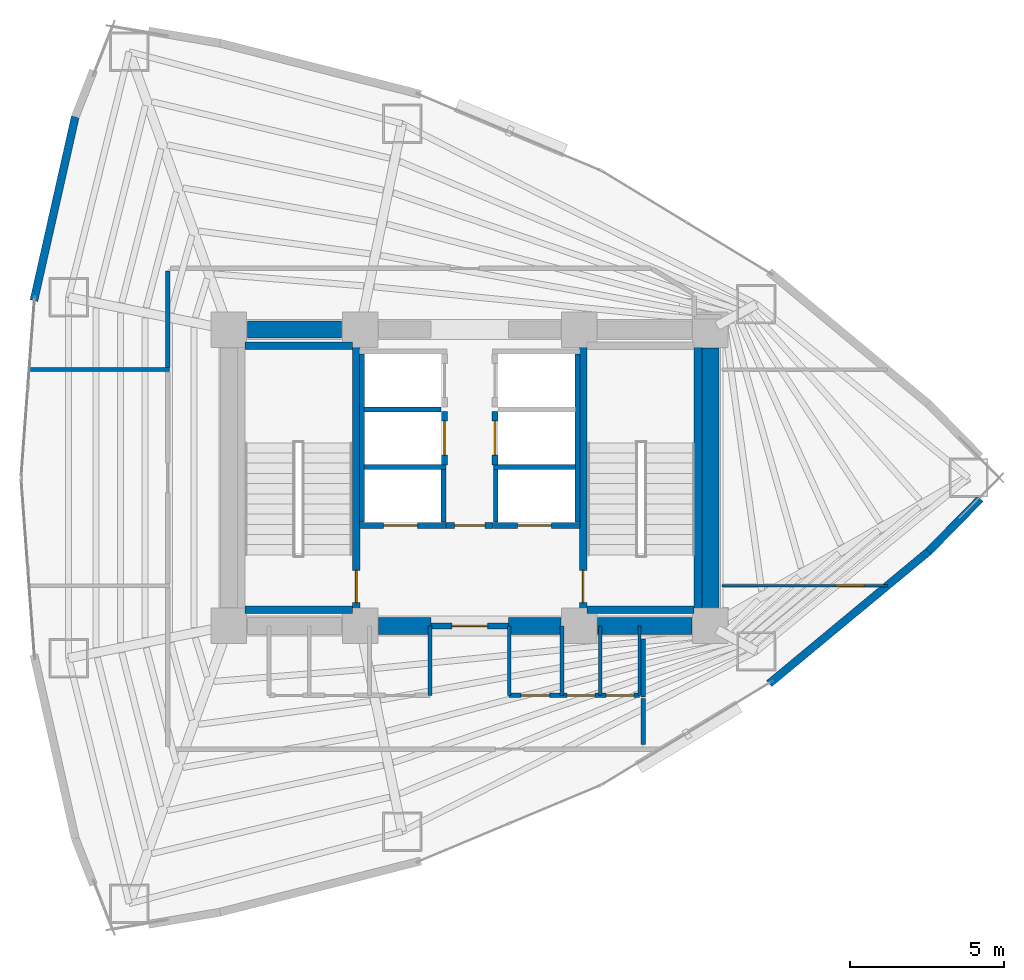
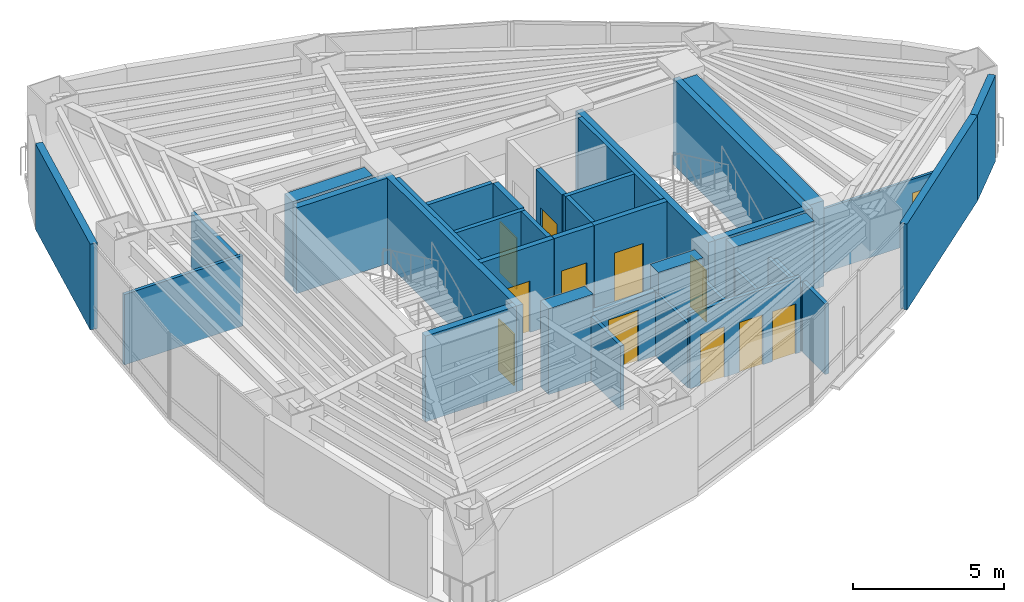
# One storey, part 15 of 18: 38 walls, 12 doors, 12 openings.
"""IFC4 building model written with IfcOpenShell, lengths in metres."""

from ifc_helpers import new_model, si_unit, direction, frame, frame_2d, origin, place, context, subcontext, project, spatial, rectangle, extrude, material, layer, layer_set, type_object, element, fill, save


model = new_model("IFC4")

# Units and contexts
model_context = context("Model", 3, precision=1e-05, world=origin(), true_north=direction((0.0, 1.0)))
body_context = subcontext(model_context, "Body", "Model", "MODEL_VIEW")
ifc_project = project(units=[si_unit("LENGTHUNIT", "METRE"), si_unit("AREAUNIT", "SQUARE_METRE"), si_unit("VOLUMEUNIT", "CUBIC_METRE"), si_unit("PLANEANGLEUNIT", "RADIAN"), si_unit("MASSUNIT", "GRAM", prefix="KILO")], contexts=[model_context])

# Site, building, storey
site_placement = place(None, origin())
site = spatial("IfcSite", under=ifc_project, at=site_placement, CompositionType="ELEMENT")
building_placement = place(site_placement, origin())
building = spatial("IfcBuilding", under=site, at=building_placement, Name="Menara Vayukalpa", CompositionType="ELEMENT")
storey_placement = place(building_placement, frame((0.0, 0.0, 89.10009765625)))
storey = spatial("IfcBuildingStorey", under=building, at=storey_placement, Name="L21", CompositionType="ELEMENT", Elevation=89.10009765625)

# Walls
ifc_material_1 = material(Name="Concrete C60/75", Category="concrete")
ifc_layer_1 = layer(ifc_material_1, 0.550048828125)
ifc_layer_set_1 = layer_set([ifc_layer_1], Name="Concrete C60/75")
wall_type_1 = type_object("IfcWallType", Name="WAL-CW550", PredefinedType="SHEAR", material=ifc_layer_set_1)
wall_1_placement = place(storey_placement, frame((22.64501953125, 17.199951171875, 0.0), z_axis=(0.0, 0.0, 1.0), x_axis=(1.0, 0.0, 0.0)))
element("IfcWall", 1, at=wall_1_placement, inside=storey, type_object=wall_type_1, Name="L21 Buttressed Core Shear Wall CWS2", PredefinedType="SHEAR", context=body_context, shape_type="SweptSolid", body=[
    extrude(rectangle(XDim=1.705078125, YDim=0.550048828125, at=frame_2d((0.8525390625, 0.0))), origin(), (0.0, 0.0, 1.0), 3.469970703125),
])
wall_2_placement = place(storey_placement, frame((26.85009765625, 17.199951171875, 0.0), z_axis=(0.0, 0.0, 1.0), x_axis=(1.0, 0.0, 0.0)))
element("IfcWall", 2, at=wall_2_placement, inside=storey, type_object=wall_type_1, Name="L21 Buttressed Core Shear Wall CWS3", PredefinedType="SHEAR", context=body_context, shape_type="SweptSolid", body=[
    extrude(rectangle(XDim=1.704833984375, YDim=0.550048828125, at=frame_2d((0.8525390625, 0.0))), origin(), (0.0, 0.0, 1.0), 3.469970703125),
])
wall_3_placement = place(storey_placement, frame((29.7451171875, 17.199951171875, 0.0), z_axis=(0.0, 0.0, 1.0), x_axis=(1.0, 0.0, 0.0)))
element("IfcWall", 3, at=wall_3_placement, inside=storey, type_object=wall_type_1, Name="L21 Buttressed Core Shear Wall CWS4", PredefinedType="SHEAR", context=body_context, shape_type="SweptSolid", body=[
    extrude(rectangle(XDim=3.059814453125, YDim=0.550048828125, at=frame_2d((1.52978515625, 0.0))), origin(), (0.0, 0.0, 1.0), 3.469970703125),
])
wall_4_placement = place(storey_placement, frame((18.39501953125, 26.800048828125, 0.0), z_axis=(0.0, 0.0, 1.0), x_axis=(1.0, 0.0, 0.0)))
element("IfcWall", 4, at=wall_4_placement, inside=storey, type_object=wall_type_1, Name="L21 Buttressed Core Shear Wall CWN1", PredefinedType="SHEAR", context=body_context, shape_type="SweptSolid", body=[
    extrude(rectangle(XDim=3.06005859375, YDim=0.550048828125, at=frame_2d((1.530029296875, 0.0))), origin(), (0.0, 0.0, 1.0), 3.469970703125),
])
wall_5_placement = place(storey_placement, frame((33.39990234375, 17.794921875, 0.0), z_axis=(0.0, 0.0, 1.0), x_axis=(0.0, 1.0, 0.0)))
element("IfcWall", 5, at=wall_5_placement, inside=storey, type_object=wall_type_1, Name="L21 Buttressed Core Shear Wall CWE1", PredefinedType="SHEAR", context=body_context, shape_type="SweptSolid", body=[
    extrude(rectangle(XDim=8.41015625, YDim=0.550048828125, at=frame_2d((4.205078125, 0.0))), origin(), (0.0, 0.0, 1.0), 3.469970703125),
])
ifc_material_2 = material(Name="Insulated Precast Concrete C40/50", Category="concrete")
ifc_layer_2 = layer(ifc_material_2, 0.260009765625)
ifc_layer_set_2 = layer_set([ifc_layer_2], Name="Insulated Precast Concrete C40/50")
wall_type_2 = type_object("IfcWallType", Name="WAL-EXT260", PredefinedType="PARTITIONING", material=ifc_layer_set_2)
wall_6_placement = place(storey_placement, frame((42.14111328125, 21.316650390625, 0.0), z_axis=(0.0, 0.0, 1.0), x_axis=(-0.700603293449, -0.713550996922, 0.0)))
element("IfcWall", 6, at=wall_6_placement, inside=storey, type_object=wall_type_2, Name="L21 Perimeter Terracotta Pier Wall 01", PredefinedType="PARTITIONING", context=body_context, shape_type="SweptSolid", body=[
    extrude(rectangle(XDim=2.394775390625, YDim=0.260009765625, at=frame_2d((1.197265625, 0.0))), origin(), (0.0, 0.0, 1.0), 3.469970703125),
])
wall_7_placement = place(storey_placement, frame((11.482421875, 27.73828125, 0.0), z_axis=(0.0, 0.0, 1.0), x_axis=(0.219535044336, 0.975604614743, 0.0)))
element("IfcWall", 7, at=wall_7_placement, inside=storey, type_object=wall_type_2, Name="L21 Perimeter Terracotta Pier Wall 09", PredefinedType="PARTITIONING", context=body_context, shape_type="SweptSolid", body=[
    extrude(rectangle(XDim=6.10205078125, YDim=0.260009765625, at=frame_2d((3.051025390625, 0.0))), origin(), (0.0, 0.0, 1.0), 3.469970703125),
])
wall_8_placement = place(storey_placement, frame((40.472412109375, 19.6162109375, 0.0), z_axis=(0.0, 0.0, 1.0), x_axis=(-0.76975316947, -0.638341646841, 0.0)))
element("IfcWall", 8, at=wall_8_placement, inside=storey, type_object=wall_type_2, Name="L21 Perimeter Terracotta Pier Wall 18", PredefinedType="PARTITIONING", context=body_context, shape_type="SweptSolid", body=[
    extrude(rectangle(XDim=6.718017578125, YDim=0.260009765625, at=frame_2d((3.35888671875, 0.0))), origin(), (0.0, 0.0, 1.0), 3.469970703125),
])
ifc_material_3 = material(Name="Lightweight Concrete Blockwork C16/20", Category="masonry")
ifc_layer_3 = layer(ifc_material_3, 0.159912109375)
ifc_layer_set_3 = layer_set([ifc_layer_3], Name="Lightweight Concrete Blockwork C16/20")
wall_type_3 = type_object("IfcWallType", Name="WAL-FR150", PredefinedType="PARTITIONING", material=ifc_layer_set_3)
wall_9_placement = place(storey_placement, frame((22.10498046875, 20.56005859375, 0.0), z_axis=(0.0, 0.0, 1.0), x_axis=(0.0, 1.0, 0.0)))
element("IfcWall", 9, at=wall_9_placement, inside=storey, type_object=wall_type_3, Name="L21 Interior Partition IW-L21-SHW-WW", PredefinedType="PARTITIONING", context=body_context, shape_type="SweptSolid", body=[
    extrude(rectangle(XDim=5.449951171875, YDim=0.159912109375, at=frame_2d((2.72509765625, 0.0))), origin(), (0.0, 0.0, 1.0), 3.469970703125),
])
wall_10_placement = place(storey_placement, frame((24.7548828125, 20.56005859375, 0.0), z_axis=(0.0, 0.0, 1.0), x_axis=(0.0, 1.0, 0.0)))
element("IfcWall", 10, at=wall_10_placement, inside=storey, type_object=wall_type_3, Name="L21 Interior Partition IW-L21-SHW-W1E", PredefinedType="PARTITIONING", context=body_context, shape_type="SweptSolid", body=[
    extrude(rectangle(XDim=1.7099609375, YDim=0.159912109375, at=frame_2d((0.85498046875, 0.0))), origin(), (0.0, 0.0, 1.0), 3.469970703125),
])
wall_11_placement = place(storey_placement, frame((22.179931640625, 22.344970703125, 0.0), z_axis=(0.0, 0.0, 1.0), x_axis=(1.0, 0.0, 0.0)))
element("IfcWall", 11, at=wall_11_placement, inside=storey, type_object=wall_type_3, Name="L21 Interior Partition IW-L21-SHM-W12", PredefinedType="PARTITIONING", context=body_context, shape_type="SweptSolid", body=[
    extrude(rectangle(XDim=2.650146484375, YDim=0.159912109375, at=frame_2d((1.3251953125, 0.0))), origin(), (0.0, 0.0, 1.0), 3.469970703125),
])
wall_12_placement = place(storey_placement, frame((22.179931640625, 24.215087890625, 0.0), z_axis=(0.0, 0.0, 1.0), x_axis=(1.0, 0.0, 0.0)))
element("IfcWall", 12, at=wall_12_placement, inside=storey, type_object=wall_type_3, Name="L21 Interior Partition IW-L21-SHM-W23", PredefinedType="PARTITIONING", context=body_context, shape_type="SweptSolid", body=[
    extrude(rectangle(XDim=2.489990234375, YDim=0.159912109375, at=frame_2d((1.2451171875, 0.0))), origin(), (0.0, 0.0, 1.0), 3.469970703125),
])
wall_13_placement = place(storey_placement, frame((29.094970703125, 20.56005859375, 0.0), z_axis=(0.0, 0.0, 1.0), x_axis=(0.0, 1.0, 0.0)))
element("IfcWall", 13, at=wall_13_placement, inside=storey, type_object=wall_type_3, Name="L21 Interior Partition IW-L21-SHW-EE", PredefinedType="PARTITIONING", context=body_context, shape_type="SweptSolid", body=[
    extrude(rectangle(XDim=5.449951171875, YDim=0.159912109375, at=frame_2d((2.72509765625, 0.0))), origin(), (0.0, 0.0, 1.0), 3.469970703125),
])
wall_14_placement = place(storey_placement, frame((26.445068359375, 20.56005859375, 0.0), z_axis=(0.0, 0.0, 1.0), x_axis=(0.0, 1.0, 0.0)))
element("IfcWall", 14, at=wall_14_placement, inside=storey, type_object=wall_type_3, Name="L21 Interior Partition IW-L21-SHW-E1W", PredefinedType="PARTITIONING", context=body_context, shape_type="SweptSolid", body=[
    extrude(rectangle(XDim=1.7099609375, YDim=0.159912109375, at=frame_2d((0.85498046875, 0.0))), origin(), (0.0, 0.0, 1.0), 3.469970703125),
])
wall_15_placement = place(storey_placement, frame((26.3701171875, 22.344970703125, 0.0), z_axis=(0.0, 0.0, 1.0), x_axis=(1.0, 0.0, 0.0)))
element("IfcWall", 15, at=wall_15_placement, inside=storey, type_object=wall_type_3, Name="L21 Interior Partition IW-L21-SHM-E13", PredefinedType="PARTITIONING", context=body_context, shape_type="SweptSolid", body=[
    extrude(rectangle(XDim=2.64990234375, YDim=0.159912109375, at=frame_2d((1.324951171875, 0.0))), origin(), (0.0, 0.0, 1.0), 3.469970703125),
])

# Wall, opening, door
ifc_material_4 = material(Name="Lightweight Concrete Blockwork C16/20", Category="masonry")
ifc_layer_4 = layer(ifc_material_4, 0.199951171875)
ifc_layer_set_4 = layer_set([ifc_layer_4], Name="Lightweight Concrete Blockwork C16/20")
wall_type_4 = type_object("IfcWallType", Name="WAL-FR200", PredefinedType="PARTITIONING", material=ifc_layer_set_4)
wall_16_placement = place(storey_placement, frame((24.35009765625, 17.199951171875, 0.0), z_axis=(0.0, 0.0, 1.0), x_axis=(1.0, 0.0, 0.0)))
wall_16 = element("IfcWall", 16, at=wall_16_placement, inside=storey, type_object=wall_type_4, Name="L21 Interior Partition IW-L21-FFLS", PredefinedType="PARTITIONING", context=body_context, shape_type="SweptSolid", body=[
    extrude(rectangle(XDim=2.5, YDim=0.199951171875, at=frame_2d((1.25, 0.0))), origin(), (0.0, 0.0, 1.0), 2.599853515625),
])
opening_1_placement = place(wall_16_placement, frame((0.679931640625, 0.0, 0.0)))
opening_1 = element("IfcOpeningElement", 17, at=opening_1_placement, cuts=wall_16, Name="Opening ID2", PredefinedType="OPENING", context=body_context, shape_type="SweptSolid", body=[
    extrude(rectangle(XDim=1.14990234375, YDim=2.080078125, at=frame_2d((0.574951171875, 1.0400390625))), frame((0.0, 0.10986328125, 0.0), z_axis=(0.0, -1.0, 0.0), x_axis=(1.0, 0.0, 0.0)), (0.0, 0.0, 1.0), 0.219970703125),
])
ifc_material_5 = material(Name="Fire-Rated Powder-Coated Steel Door", Category="steel")
door_type_1 = type_object("IfcDoorType", Name="DR-FD60W", OperationType="NOTDEFINED", PredefinedType="DOOR", material=ifc_material_5)
door_1_placement = place(opening_1_placement, origin())
door_1 = element("IfcDoor", 18, at=door_1_placement, inside=storey, type_object=door_type_1, Name="L21 Interior Door DR-L21-FFLS", OperationType="SINGLE_SWING_RIGHT", OverallHeight=2.080078125, OverallWidth=1.14990234375, PredefinedType="DOOR", context=body_context, shape_type="SweptSolid", body=[
    extrude(rectangle(XDim=1.14990234375, YDim=2.080078125, at=frame_2d((0.574951171875, 1.0400390625))), frame((0.0, 0.02490234375, 0.0), z_axis=(0.0, -1.0, 0.0), x_axis=(1.0, 0.0, 0.0)), (0.0, 0.0, 1.0), 0.050048828125),
])
fill(opening_1, door_1)

wall_17_placement = place(storey_placement, frame((24.840087890625, 20.449951171875, 0.0), z_axis=(0.0, 0.0, 1.0), x_axis=(1.0, 0.0, 0.0)))
wall_17 = element("IfcWall", 19, at=wall_17_placement, inside=storey, type_object=wall_type_4, Name="L21 Interior Partition IW-L21-FFLN", PredefinedType="PARTITIONING", context=body_context, shape_type="SweptSolid", body=[
    extrude(rectangle(XDim=1.52001953125, YDim=0.199951171875, at=frame_2d((0.760009765625, 0.0))), origin(), (0.0, 0.0, 1.0), 3.469970703125),
])
opening_2_placement = place(wall_17_placement, frame((0.27001953125, 0.0, 0.0)))
opening_2 = element("IfcOpeningElement", 20, at=opening_2_placement, cuts=wall_17, Name="Opening ID3", PredefinedType="OPENING", context=body_context, shape_type="SweptSolid", body=[
    extrude(rectangle(XDim=0.97998046875, YDim=2.06005859375, at=frame_2d((0.489990234375, 1.030029296875))), frame((0.0, 0.10986328125, 0.0), z_axis=(0.0, -1.0, 0.0), x_axis=(1.0, 0.0, 0.0)), (0.0, 0.0, 1.0), 0.219970703125),
])
ifc_material_6 = material(Name="Fire-Rated Powder-Coated Steel Door", Category="steel")
door_type_2 = type_object("IfcDoorType", Name="DR-FD60", OperationType="NOTDEFINED", PredefinedType="DOOR", material=ifc_material_6)
door_2_placement = place(opening_2_placement, origin())
door_2 = element("IfcDoor", 21, at=door_2_placement, inside=storey, type_object=door_type_2, Name="L21 Interior Door DR-L21-FFLN", OperationType="SINGLE_SWING_LEFT", OverallHeight=2.06005859375, OverallWidth=0.97998046875, PredefinedType="DOOR", context=body_context, shape_type="SweptSolid", body=[
    extrude(rectangle(XDim=0.97998046875, YDim=2.06005859375, at=frame_2d((0.489990234375, 1.030029296875))), frame((0.0, 0.02490234375, 0.0), z_axis=(0.0, -1.0, 0.0), x_axis=(1.0, 0.0, 0.0)), (0.0, 0.0, 1.0), 0.050048828125),
])
fill(opening_2, door_2)

wall_18_placement = place(storey_placement, frame((22.030029296875, 20.449951171875, 0.0), z_axis=(0.0, 0.0, 1.0), x_axis=(1.0, 0.0, 0.0)))
wall_18 = element("IfcWall", 22, at=wall_18_placement, inside=storey, type_object=wall_type_4, Name="L21 Interior Partition IW-L21-SH-W1", PredefinedType="PARTITIONING", context=body_context, shape_type="SweptSolid", body=[
    extrude(rectangle(XDim=2.800048828125, YDim=0.199951171875, at=frame_2d((1.39990234375, 0.0))), origin(), (0.0, 0.0, 1.0), 3.469970703125),
])
opening_3_placement = place(wall_18_placement, frame((0.780029296875, 0.0, 0.0)))
opening_3 = element("IfcOpeningElement", 23, at=opening_3_placement, cuts=wall_18, Name="Opening LD1", PredefinedType="OPENING", context=body_context, shape_type="SweptSolid", body=[
    extrude(rectangle(XDim=1.10009765625, YDim=2.080078125, at=frame_2d((0.550048828125, 1.0400390625))), frame((0.0, 0.10986328125, 0.0), z_axis=(0.0, -1.0, 0.0), x_axis=(1.0, 0.0, 0.0)), (0.0, 0.0, 1.0), 0.219970703125),
])
ifc_material_7 = material(Name="Brushed Stainless Steel 316 Lift Door", Category="steel")
door_type_3 = type_object("IfcDoorType", Name="DR-LD110", OperationType="NOTDEFINED", PredefinedType="DOOR", material=ifc_material_7)
door_3_placement = place(opening_3_placement, origin())
door_3 = element("IfcDoor", 24, at=door_3_placement, inside=storey, type_object=door_type_3, Name="L21 Interior Door DR-L21-LD-W1", OperationType="DOUBLE_DOOR_SLIDING", OverallHeight=2.080078125, OverallWidth=1.10009765625, PredefinedType="DOOR", context=body_context, shape_type="SweptSolid", body=[
    extrude(rectangle(XDim=1.10009765625, YDim=2.080078125, at=frame_2d((0.550048828125, 1.0400390625))), frame((0.0, 0.02490234375, 0.0), z_axis=(0.0, -1.0, 0.0), x_axis=(1.0, 0.0, 0.0)), (0.0, 0.0, 1.0), 0.050048828125),
])
fill(opening_3, door_3)

wall_19_placement = place(storey_placement, frame((26.3701171875, 20.449951171875, 0.0), z_axis=(0.0, 0.0, 1.0), x_axis=(1.0, 0.0, 0.0)))
wall_19 = element("IfcWall", 25, at=wall_19_placement, inside=storey, type_object=wall_type_4, Name="L21 Interior Partition IW-L21-SH-E1", PredefinedType="PARTITIONING", context=body_context, shape_type="SweptSolid", body=[
    extrude(rectangle(XDim=2.7998046875, YDim=0.199951171875, at=frame_2d((1.39990234375, 0.0))), origin(), (0.0, 0.0, 1.0), 3.469970703125),
])
opening_4_placement = place(wall_19_placement, frame((0.780029296875, 0.0, 0.0)))
opening_4 = element("IfcOpeningElement", 26, at=opening_4_placement, cuts=wall_19, Name="Opening LD1", PredefinedType="OPENING", context=body_context, shape_type="SweptSolid", body=[
    extrude(rectangle(XDim=1.10009765625, YDim=2.080078125, at=frame_2d((0.550048828125, 1.0400390625))), frame((0.0, 0.10986328125, 0.0), z_axis=(0.0, -1.0, 0.0), x_axis=(1.0, 0.0, 0.0)), (0.0, 0.0, 1.0), 0.219970703125),
])
door_4_placement = place(opening_4_placement, origin())
door_4 = element("IfcDoor", 27, at=door_4_placement, inside=storey, type_object=door_type_3, Name="L21 Interior Door DR-L21-LD-E1", OperationType="DOUBLE_DOOR_SLIDING", OverallHeight=2.080078125, OverallWidth=1.10009765625, PredefinedType="DOOR", context=body_context, shape_type="SweptSolid", body=[
    extrude(rectangle(XDim=1.10009765625, YDim=2.080078125, at=frame_2d((0.550048828125, 1.0400390625))), frame((0.0, 0.02490234375, 0.0), z_axis=(0.0, -1.0, 0.0), x_axis=(1.0, 0.0, 0.0)), (0.0, 0.0, 1.0), 0.050048828125),
])
fill(opening_4, door_4)

wall_20_placement = place(storey_placement, frame((24.780029296875, 22.419921875, 0.0), z_axis=(0.0, 0.0, 1.0), x_axis=(0.0, 1.0, 0.0)))
wall_20 = element("IfcWall", 28, at=wall_20_placement, inside=storey, type_object=wall_type_4, Name="L21 Interior Partition IW-L21-SH-W2", PredefinedType="PARTITIONING", context=body_context, shape_type="SweptSolid", body=[
    extrude(rectangle(XDim=1.719970703125, YDim=0.199951171875, at=frame_2d((0.85986328125, 0.0))), origin(), (0.0, 0.0, 1.0), 3.469970703125),
])
opening_5_placement = place(wall_20_placement, frame((0.31005859375, 0.0, 0.0)))
opening_5 = element("IfcOpeningElement", 29, at=opening_5_placement, cuts=wall_20, Name="Opening LD1", PredefinedType="OPENING", context=body_context, shape_type="SweptSolid", body=[
    extrude(rectangle(XDim=1.10009765625, YDim=2.080078125, at=frame_2d((0.550048828125, 1.0400390625))), frame((0.0, 0.10986328125, 0.0), z_axis=(0.0, -1.0, 0.0), x_axis=(1.0, 0.0, 0.0)), (0.0, 0.0, 1.0), 0.219970703125),
])
door_5_placement = place(opening_5_placement, origin())
door_5 = element("IfcDoor", 30, at=door_5_placement, inside=storey, type_object=door_type_3, Name="L21 Interior Door DR-L21-LD-W2", OperationType="DOUBLE_DOOR_SLIDING", OverallHeight=2.080078125, OverallWidth=1.10009765625, PredefinedType="DOOR", context=body_context, shape_type="SweptSolid", body=[
    extrude(rectangle(XDim=1.10009765625, YDim=2.080078125, at=frame_2d((0.550048828125, 1.0400390625))), frame((0.0, 0.02490234375, 0.0), z_axis=(0.0, -1.0, 0.0), x_axis=(1.0, 0.0, 0.0)), (0.0, 0.0, 1.0), 0.050048828125),
])
fill(opening_5, door_5)

wall_21_placement = place(storey_placement, frame((26.419921875, 22.419921875, 0.0), z_axis=(0.0, 0.0, 1.0), x_axis=(0.0, 1.0, 0.0)))
wall_21 = element("IfcWall", 31, at=wall_21_placement, inside=storey, type_object=wall_type_4, Name="L21 Interior Partition IW-L21-SH-E3", PredefinedType="PARTITIONING", context=body_context, shape_type="SweptSolid", body=[
    extrude(rectangle(XDim=1.719970703125, YDim=0.199951171875, at=frame_2d((0.85986328125, 0.0))), origin(), (0.0, 0.0, 1.0), 3.469970703125),
])
opening_6_placement = place(wall_21_placement, frame((0.31005859375, 0.0, 0.0)))
opening_6 = element("IfcOpeningElement", 32, at=opening_6_placement, cuts=wall_21, Name="Opening LD1", PredefinedType="OPENING", context=body_context, shape_type="SweptSolid", body=[
    extrude(rectangle(XDim=1.10009765625, YDim=2.080078125, at=frame_2d((0.550048828125, 1.0400390625))), frame((0.0, 0.10986328125, 0.0), z_axis=(0.0, -1.0, 0.0), x_axis=(1.0, 0.0, 0.0)), (0.0, 0.0, 1.0), 0.219970703125),
])
door_6_placement = place(opening_6_placement, origin())
door_6 = element("IfcDoor", 33, at=door_6_placement, inside=storey, type_object=door_type_3, Name="L21 Interior Door DR-L21-LD-E3", OperationType="DOUBLE_DOOR_SLIDING", OverallHeight=2.080078125, OverallWidth=1.10009765625, PredefinedType="DOOR", context=body_context, shape_type="SweptSolid", body=[
    extrude(rectangle(XDim=1.10009765625, YDim=2.080078125, at=frame_2d((0.550048828125, 1.0400390625))), frame((0.0, 0.02490234375, 0.0), z_axis=(0.0, -1.0, 0.0), x_axis=(1.0, 0.0, 0.0)), (0.0, 0.0, 1.0), 0.050048828125),
])
fill(opening_6, door_6)

ifc_material_8 = material(Name="Glazed Demountable Office Partition", Category="glass")
ifc_layer_5 = layer(ifc_material_8, 0.094970703125)
ifc_layer_set_5 = layer_set([ifc_layer_5], Name="Glazed Demountable Office Partition")
wall_type_5 = type_object("IfcWallType", Name="WAL-PT100", PredefinedType="PARTITIONING", material=ifc_layer_set_5)
wall_22_placement = place(storey_placement, frame((33.77001953125, 18.5, 0.0), z_axis=(0.0, 0.0, 1.0), x_axis=(1.0, 0.0, 0.0)))
wall_22 = element("IfcWall", 34, at=wall_22_placement, inside=storey, type_object=wall_type_5, Name="L21 Interior Partition IW-L21-RDIV02", PredefinedType="PARTITIONING", context=body_context, shape_type="SweptSolid", body=[
    extrude(rectangle(XDim=5.3720703125, YDim=0.094970703125, at=frame_2d((2.68603515625, 0.0))), origin(), (0.0, 0.0, 1.0), 2.599853515625),
])
opening_7_placement = place(wall_22_placement, frame((3.685546875, 0.0, 0.0)))
opening_7 = element("IfcOpeningElement", 35, at=opening_7_placement, cuts=wall_22, Name="Opening ID6", PredefinedType="OPENING", context=body_context, shape_type="SweptSolid", body=[
    extrude(rectangle(XDim=0.919921875, YDim=2.050048828125, at=frame_2d((0.4599609375, 1.02490234375))), frame((0.0, 0.057373046875, 0.0), z_axis=(0.0, -1.0, 0.0), x_axis=(1.0, 0.0, 0.0)), (0.0, 0.0, 1.0), 0.114990234375),
])
ifc_material_9 = material(Name="Acoustic Hardwood Veneer Timber Door", Category="wood")
door_type_4 = type_object("IfcDoorType", Name="DR-INT92", OperationType="NOTDEFINED", PredefinedType="DOOR", material=ifc_material_9)
door_7_placement = place(opening_7_placement, origin())
door_7 = element("IfcDoor", 36, at=door_7_placement, inside=storey, type_object=door_type_4, Name="L21 Interior Door DR-L21-STE03", OperationType="SINGLE_SWING_LEFT", OverallHeight=2.050048828125, OverallWidth=0.919921875, PredefinedType="DOOR", context=body_context, shape_type="SweptSolid", body=[
    extrude(rectangle(XDim=0.919921875, YDim=2.050048828125, at=frame_2d((0.4599609375, 1.02490234375))), frame((0.0, 0.02490234375, 0.0), z_axis=(0.0, -1.0, 0.0), x_axis=(1.0, 0.0, 0.0)), (0.0, 0.0, 1.0), 0.050048828125),
])
fill(opening_7, door_7)

# Walls
ifc_material_10 = material(Name="Acoustic Mineral Stud Partition", Category="masonry")
ifc_layer_6 = layer(ifc_material_10, 0.110107421875)
ifc_layer_set_6 = layer_set([ifc_layer_6], Name="Acoustic Mineral Stud Partition")
wall_type_6 = type_object("IfcWallType", Name="WAL-PT110", PredefinedType="PARTITIONING", material=ifc_layer_set_6)
for number, where, z_axis, x_axis, name in (
    (37, (26.8798828125, 14.949951171875, 0.0), (0.0, 0.0, 1.0), (0.0, 1.0, 0.0), "L21 Interior Partition IW-L21-SVCD-05"),
    (38, (31.10009765625, 14.949951171875, 0.0), (0.0, 0.0, 1.0), (0.0, 1.0, 0.0), "L21 Interior Partition IW-L21-SVCD-08"),
):
    element("IfcWall", number, at=place(storey_placement, frame(where, z_axis=z_axis, x_axis=x_axis)), inside=storey, type_object=wall_type_6, Name=name, PredefinedType="PARTITIONING", context=body_context, shape_type="SweptSolid", body=[
        extrude(rectangle(XDim=2.25, YDim=0.110107421875, at=frame_2d((1.125, 0.0))), origin(), (0.0, 0.0, 1.0), 2.599853515625),
    ])
ifc_material_11 = material(Name="Gypsum Drywall Steel Stud Assembly", Category="steel")
ifc_layer_7 = layer(ifc_material_11, 0.125)
ifc_layer_set_7 = layer_set([ifc_layer_7], Name="Gypsum Drywall Steel Stud Assembly")
wall_type_7 = type_object("IfcWallType", Name="WAL-PT125", PredefinedType="PARTITIONING", material=ifc_layer_set_7)
for number, where, z_axis, x_axis, name in (
    (39, (24.320068359375, 14.949951171875, 0.0), (0.0, 0.0, 1.0), (0.0, 1.0, 0.0), "L21 Interior Partition IW-L21-SVCD-04"),
    (40, (28.590087890625, 14.949951171875, 0.0), (0.0, 0.0, 1.0), (0.0, 1.0, 0.0), "L21 Interior Partition IW-L21-SVCD-06"),
    (41, (29.830078125, 14.949951171875, 0.0), (0.0, 0.0, 1.0), (0.0, 1.0, 0.0), "L21 Interior Partition IW-L21-SVCD-07"),
):
    element("IfcWall", number, at=place(storey_placement, frame(where, z_axis=z_axis, x_axis=x_axis)), inside=storey, type_object=wall_type_7, Name=name, PredefinedType="PARTITIONING", context=body_context, shape_type="SweptSolid", body=[
        extrude(rectangle(XDim=2.25, YDim=0.125, at=frame_2d((1.125, 0.0))), origin(), (0.0, 0.0, 1.0), 2.599853515625),
    ])
wall_23_placement = place(storey_placement, frame((11.32080078125, 25.5, 0.0), z_axis=(0.0, 0.0, 1.0), x_axis=(1.0, 0.0, 0.0)))
element("IfcWall", 42, at=wall_23_placement, inside=storey, type_object=wall_type_7, Name="L21 Interior Partition IW-L21-RDIV03", PredefinedType="PARTITIONING", context=body_context, shape_type="SweptSolid", body=[
    extrude(rectangle(XDim=4.54931640625, YDim=0.125, at=frame_2d((2.274658203125, 0.0))), origin(), (0.0, 0.0, 1.0), 2.849853515625),
])

# Wall, openings, doors
ifc_material_12 = material(Name="Gypsum Drywall Acoustic Stud Assembly", Category="masonry")
ifc_layer_8 = layer(ifc_material_12, 0.14501953125)
ifc_layer_set_8 = layer_set([ifc_layer_8], Name="Gypsum Drywall Acoustic Stud Assembly")
wall_type_8 = type_object("IfcWallType", Name="WAL-PT150", PredefinedType="PARTITIONING", material=ifc_layer_set_8)
wall_24_placement = place(storey_placement, frame((26.8798828125, 14.949951171875, 0.0), z_axis=(0.0, 0.0, 1.0), x_axis=(1.0, 0.0, 0.0)))
wall_24 = element("IfcWall", 43, at=wall_24_placement, inside=storey, type_object=wall_type_8, Name="L21 Interior Partition IW-L21-SVCS-E", PredefinedType="PARTITIONING", context=body_context, shape_type="SweptSolid", body=[
    extrude(rectangle(XDim=4.22021484375, YDim=0.14501953125, at=frame_2d((2.110107421875, 0.0))), origin(), (0.0, 0.0, 1.0), 3.0498046875),
])
opening_8_placement = place(wall_24_placement, frame((0.389892578125, 0.0, 0.0)))
opening_8 = element("IfcOpeningElement", 44, at=opening_8_placement, cuts=wall_24, Name="Opening ID6", PredefinedType="OPENING", context=body_context, shape_type="SweptSolid", body=[
    extrude(rectangle(XDim=0.919921875, YDim=2.050048828125, at=frame_2d((0.4599609375, 1.02490234375))), frame((0.0, 0.08251953125, 0.0), z_axis=(0.0, -1.0, 0.0), x_axis=(1.0, 0.0, 0.0)), (0.0, 0.0, 1.0), 0.1650390625),
])
opening_9_placement = place(wall_24_placement, frame((1.8798828125, 0.0, 0.0)))
opening_9 = element("IfcOpeningElement", 45, at=opening_9_placement, cuts=wall_24, Name="Opening ID7", PredefinedType="OPENING", context=body_context, shape_type="SweptSolid", body=[
    extrude(rectangle(XDim=0.89990234375, YDim=2.02001953125, at=frame_2d((0.449951171875, 1.010009765625))), frame((0.0, 0.08251953125, 0.0), z_axis=(0.0, -1.0, 0.0), x_axis=(1.0, 0.0, 0.0)), (0.0, 0.0, 1.0), 0.1650390625),
])
opening_10_placement = place(wall_24_placement, frame((3.139892578125, 0.0, 0.0)))
opening_10 = element("IfcOpeningElement", 46, at=opening_10_placement, cuts=wall_24, Name="Opening ID7", PredefinedType="OPENING", context=body_context, shape_type="SweptSolid", body=[
    extrude(rectangle(XDim=0.89990234375, YDim=2.02001953125, at=frame_2d((0.449951171875, 1.010009765625))), frame((0.0, 0.08251953125, 0.0), z_axis=(0.0, -1.0, 0.0), x_axis=(1.0, 0.0, 0.0)), (0.0, 0.0, 1.0), 0.1650390625),
])
door_8_placement = place(opening_8_placement, origin())
door_8 = element("IfcDoor", 47, at=door_8_placement, inside=storey, type_object=door_type_4, Name="L21 Interior Door DR-L21-KSV1", OperationType="SINGLE_SWING_LEFT", OverallHeight=2.050048828125, OverallWidth=0.919921875, PredefinedType="DOOR", context=body_context, shape_type="SweptSolid", body=[
    extrude(rectangle(XDim=0.919921875, YDim=2.050048828125, at=frame_2d((0.4599609375, 1.02490234375))), frame((0.0, 0.02490234375, 0.0), z_axis=(0.0, -1.0, 0.0), x_axis=(1.0, 0.0, 0.0)), (0.0, 0.0, 1.0), 0.050048828125),
])
fill(opening_8, door_8)
ifc_material_13 = material(Name="Powder-Coated Steel Riser Access Door", Category="steel")
door_type_5 = type_object("IfcDoorType", Name="DR-RISER", OperationType="NOTDEFINED", PredefinedType="DOOR", material=ifc_material_13)
door_9_placement = place(opening_9_placement, origin())
door_9 = element("IfcDoor", 48, at=door_9_placement, inside=storey, type_object=door_type_5, Name="L21 Interior Door DR-L21-KSV2", OperationType="SINGLE_SWING_RIGHT", OverallHeight=2.02001953125, OverallWidth=0.89990234375, PredefinedType="DOOR", context=body_context, shape_type="SweptSolid", body=[
    extrude(rectangle(XDim=0.89990234375, YDim=2.02001953125, at=frame_2d((0.449951171875, 1.010009765625))), frame((0.0, 0.02490234375, 0.0), z_axis=(0.0, -1.0, 0.0), x_axis=(1.0, 0.0, 0.0)), (0.0, 0.0, 1.0), 0.050048828125),
])
fill(opening_9, door_9)
door_10_placement = place(opening_10_placement, origin())
door_10 = element("IfcDoor", 49, at=door_10_placement, inside=storey, type_object=door_type_5, Name="L21 Interior Door DR-L21-SMD", OperationType="SINGLE_SWING_LEFT", OverallHeight=2.02001953125, OverallWidth=0.89990234375, PredefinedType="DOOR", context=body_context, shape_type="SweptSolid", body=[
    extrude(rectangle(XDim=0.89990234375, YDim=2.02001953125, at=frame_2d((0.449951171875, 1.010009765625))), frame((0.0, 0.02490234375, 0.0), z_axis=(0.0, -1.0, 0.0), x_axis=(1.0, 0.0, 0.0)), (0.0, 0.0, 1.0), 0.050048828125),
])
fill(opening_10, door_10)

# Walls
wall_25_placement = place(storey_placement, frame((31.22998046875, 13.351318359375, 0.0), z_axis=(0.0, 0.0, 1.0), x_axis=(0.0, 1.0, 0.0)))
element("IfcWall", 50, at=wall_25_placement, inside=storey, type_object=wall_type_8, Name="L21 Interior Partition IW-L21-CRM02-3", PredefinedType="PARTITIONING", context=body_context, shape_type="SweptSolid", body=[
    extrude(rectangle(XDim=1.498779296875, YDim=0.14501953125, at=frame_2d((0.74951171875, 0.0))), origin(), (0.0, 0.0, 1.0), 2.849853515625),
])
wall_26_placement = place(storey_placement, frame((31.219970703125, 14.888671875, 0.0), z_axis=(0.0, 0.0, 1.0), x_axis=(0.0, 1.0, 0.0)))
element("IfcWall", 51, at=wall_26_placement, inside=storey, type_object=wall_type_8, Name="L21 Interior Partition IW-L21-CRM02-4", PredefinedType="PARTITIONING", context=body_context, shape_type="SweptSolid", body=[
    extrude(rectangle(XDim=1.891357421875, YDim=0.14501953125, at=frame_2d((0.94580078125, 0.0))), origin(), (0.0, 0.0, 1.0), 2.599853515625),
])
wall_27_placement = place(storey_placement, frame((15.820068359375, 28.699951171875, 0.0), z_axis=(0.0, 0.0, 1.0), x_axis=(0.0, -1.0, 0.0)))
element("IfcWall", 52, at=wall_27_placement, inside=storey, type_object=wall_type_8, Name="L21 Interior Partition IW-L21-CRM04-5", PredefinedType="PARTITIONING", context=body_context, shape_type="SweptSolid", body=[
    extrude(rectangle(XDim=3.1298828125, YDim=0.14501953125, at=frame_2d((1.56494140625, 0.0))), origin(), (0.0, 0.0, 1.0), 2.64990234375),
])

# Wall, opening, door
ifc_material_14 = material(Name="Concrete C50/60", Category="concrete")
ifc_layer_9 = layer(ifc_material_14, 0.25)
ifc_layer_set_9 = layer_set([ifc_layer_9], Name="Concrete C50/60")
wall_type_9 = type_object("IfcWallType", Name="WAL-SW250", PredefinedType="SHEAR", material=ifc_layer_set_9)
wall_28_placement = place(storey_placement, frame((21.925048828125, 17.60009765625, 0.0), z_axis=(0.0, 0.0, 1.0), x_axis=(0.0, 1.0, 0.0)))
wall_28 = element("IfcWall", 53, at=wall_28_placement, inside=storey, type_object=wall_type_9, Name="L21 ST1 Structural Stair Shaft Wall E", PredefinedType="SHEAR", context=body_context, shape_type="SweptSolid", body=[
    extrude(rectangle(XDim=8.7998046875, YDim=0.25, at=frame_2d((4.39990234375, 0.0))), origin(), (0.0, 0.0, 1.0), 3.469970703125),
])
opening_11_placement = place(wall_28_placement, frame((0.35009765625, 0.0, 0.0)))
opening_11 = element("IfcOpeningElement", 54, at=opening_11_placement, cuts=wall_28, Name="Opening ID1", PredefinedType="OPENING", context=body_context, shape_type="SweptSolid", body=[
    extrude(rectangle(XDim=1.050048828125, YDim=2.080078125, at=frame_2d((0.52490234375, 1.0400390625))), frame((0.0, 0.135009765625, 0.0), z_axis=(0.0, -1.0, 0.0), x_axis=(1.0, 0.0, 0.0)), (0.0, 0.0, 1.0), 0.27001953125),
])
ifc_material_15 = material(Name="Fire-Rated Powder-Coated Steel Door", Category="steel")
door_type_6 = type_object("IfcDoorType", Name="DR-FD120", OperationType="NOTDEFINED", PredefinedType="DOOR", material=ifc_material_15)
door_11_placement = place(opening_11_placement, origin())
door_11 = element("IfcDoor", 55, at=door_11_placement, inside=storey, type_object=door_type_6, Name="L21 Stair Exit Door DR-L21-ST1", OperationType="SINGLE_SWING_LEFT", OverallHeight=2.080078125, OverallWidth=1.050048828125, PredefinedType="DOOR", context=body_context, shape_type="SweptSolid", body=[
    extrude(rectangle(XDim=1.050048828125, YDim=2.080078125, at=frame_2d((0.52490234375, 1.0400390625))), frame((0.0, 0.02490234375, 0.0), z_axis=(0.0, -1.0, 0.0), x_axis=(1.0, 0.0, 0.0)), (0.0, 0.0, 1.0), 0.050048828125),
])
fill(opening_11, door_11)

# Walls
for number, where, z_axis, x_axis, name in (
    (56, (18.3291015625, 17.72509765625, 0.0), (0.0, 0.0, 1.0), (1.0, 0.0, 0.0), "L21 ST1 Structural Stair Shaft Wall S"),
    (57, (18.3291015625, 26.27490234375, 0.0), (0.0, 0.0, 1.0), (1.0, 0.0, 0.0), "L21 ST1 Structural Stair Shaft Wall N"),
):
    element("IfcWall", number, at=place(storey_placement, frame(where, z_axis=z_axis, x_axis=x_axis)), inside=storey, type_object=wall_type_9, Name=name, PredefinedType="SHEAR", context=body_context, shape_type="SweptSolid", body=[
        extrude(rectangle(XDim=3.470947265625, YDim=0.25, at=frame_2d((1.7353515625, 0.0))), origin(), (0.0, 0.0, 1.0), 3.469970703125),
    ])

# Wall, opening, door
wall_29_placement = place(storey_placement, frame((29.27490234375, 17.60009765625, 0.0), z_axis=(0.0, 0.0, 1.0), x_axis=(0.0, 1.0, 0.0)))
wall_29 = element("IfcWall", 58, at=wall_29_placement, inside=storey, type_object=wall_type_9, Name="L21 ST2 Structural Stair Shaft Wall W", PredefinedType="SHEAR", context=body_context, shape_type="SweptSolid", body=[
    extrude(rectangle(XDim=8.7998046875, YDim=0.25, at=frame_2d((4.39990234375, 0.0))), origin(), (0.0, 0.0, 1.0), 3.469970703125),
])
opening_12_placement = place(wall_29_placement, frame((0.35009765625, 0.0, 0.0)))
opening_12 = element("IfcOpeningElement", 59, at=opening_12_placement, cuts=wall_29, Name="Opening ID1", PredefinedType="OPENING", context=body_context, shape_type="SweptSolid", body=[
    extrude(rectangle(XDim=1.050048828125, YDim=2.080078125, at=frame_2d((0.52490234375, 1.0400390625))), frame((0.0, 0.135009765625, 0.0), z_axis=(0.0, -1.0, 0.0), x_axis=(1.0, 0.0, 0.0)), (0.0, 0.0, 1.0), 0.27001953125),
])
door_12_placement = place(opening_12_placement, origin())
door_12 = element("IfcDoor", 60, at=door_12_placement, inside=storey, type_object=door_type_6, Name="L21 Stair Exit Door DR-L21-ST2", OperationType="SINGLE_SWING_RIGHT", OverallHeight=2.080078125, OverallWidth=1.050048828125, PredefinedType="DOOR", context=body_context, shape_type="SweptSolid", body=[
    extrude(rectangle(XDim=1.050048828125, YDim=2.080078125, at=frame_2d((0.52490234375, 1.0400390625))), frame((0.0, 0.02490234375, 0.0), z_axis=(0.0, -1.0, 0.0), x_axis=(1.0, 0.0, 0.0)), (0.0, 0.0, 1.0), 0.050048828125),
])
fill(opening_12, door_12)

# Walls
wall_30_placement = place(storey_placement, frame((32.99609375, 17.60009765625, 0.0), z_axis=(0.0, 0.0, 1.0), x_axis=(0.0, 1.0, 0.0)))
element("IfcWall", 61, at=wall_30_placement, inside=storey, type_object=wall_type_9, Name="L21 ST2 Structural Stair Shaft Wall E", PredefinedType="SHEAR", context=body_context, shape_type="SweptSolid", body=[
    extrude(rectangle(XDim=8.7998046875, YDim=0.25, at=frame_2d((4.39990234375, 0.0))), origin(), (0.0, 0.0, 1.0), 3.469970703125),
])
wall_31_placement = place(storey_placement, frame((29.39990234375, 17.72509765625, 0.0), z_axis=(0.0, 0.0, 1.0), x_axis=(1.0, 0.0, 0.0)))
element("IfcWall", 62, at=wall_31_placement, inside=storey, type_object=wall_type_9, Name="L21 ST2 Structural Stair Shaft Wall S", PredefinedType="SHEAR", context=body_context, shape_type="SweptSolid", body=[
    extrude(rectangle(XDim=3.47119140625, YDim=0.25, at=frame_2d((1.735595703125, 0.0))), origin(), (0.0, 0.0, 1.0), 3.469970703125),
])

save(model, "model.ifc")
